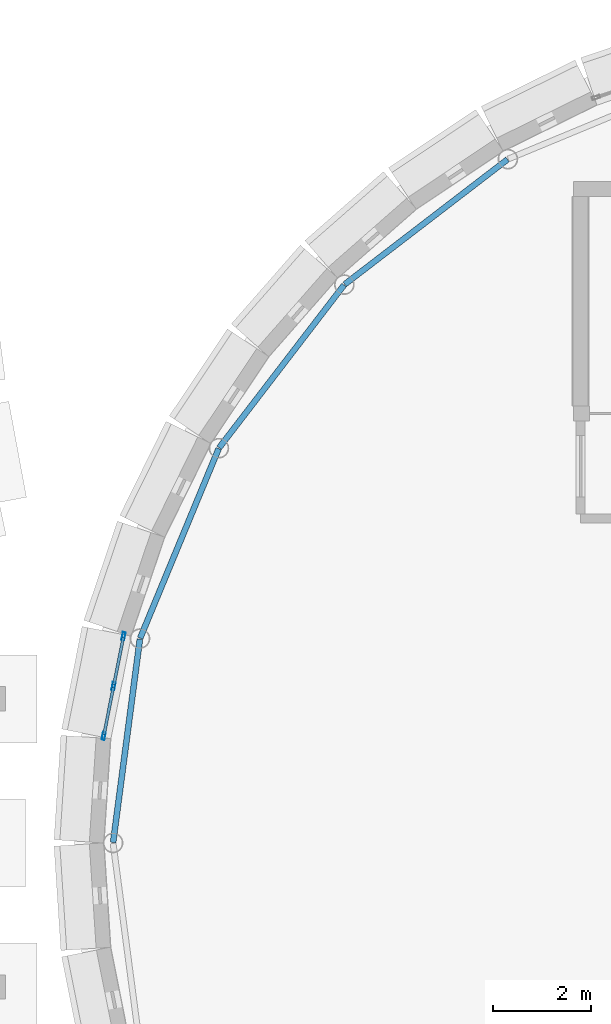
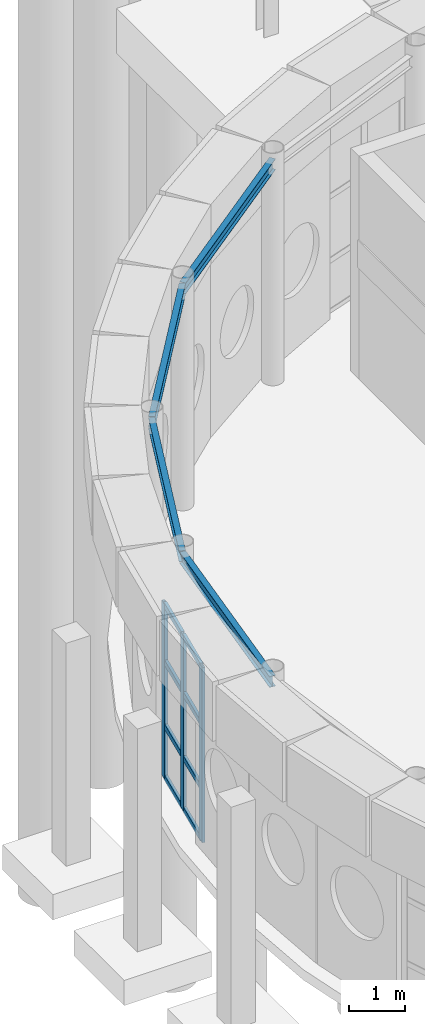
# One storey, part 41 of 109: 11 members, 4 beams, 1 element without a shape of its own.
"""IFC4 building model written with IfcOpenShell, lengths in metres."""

from ifc_helpers import new_model, si_unit, direction, frame, origin, origin_2d, place, context, subcontext, project, spatial, hollow_rectangle, i_section, extrude, material, layer, layer_set, material_profile, profile_set, type_object, element, aggregate, save


model = new_model("IFC4")

# Units and contexts
model_context = context("Model", 3, precision=1e-05, world=origin(), true_north=direction((0.0, 1.0)))
body_context = subcontext(model_context, "Body", "Model", "MODEL_VIEW")
ifc_project = project(units=[si_unit("LENGTHUNIT", "METRE"), si_unit("AREAUNIT", "SQUARE_METRE"), si_unit("VOLUMEUNIT", "CUBIC_METRE"), si_unit("PLANEANGLEUNIT", "RADIAN"), si_unit("MASSUNIT", "GRAM", prefix="KILO")], contexts=[model_context])

# Site, building, storey
site_placement = place(None, origin())
site = spatial("IfcSite", under=ifc_project, at=site_placement, CompositionType="ELEMENT")
building_placement = place(site_placement, origin())
building = spatial("IfcBuilding", under=site, at=building_placement, Name="Montecoro Central Library", CompositionType="ELEMENT")
storey_placement = place(building_placement, origin())
storey = spatial("IfcBuildingStorey", under=building, at=storey_placement, Name="L00", CompositionType="ELEMENT", Elevation=0.0)

# Beams
ifc_material_1 = material(Name="Steel S355", Category="steel")
ifc_material_profile_1 = material_profile(ifc_material_1, i_section(OverallWidth=0.1201171875, OverallDepth=0.239990234375, WebThickness=0.006103515625, FlangeThickness=0.009765625, at=origin_2d()), Name="IPE 240")
ifc_profile_set_1 = profile_set([ifc_material_profile_1], Name="Steel S355")
beam_type = type_object("IfcBeamType", Name="BM-SP-IPE240", PredefinedType="SPANDREL", material=ifc_profile_set_1)
for number, where, z_axis, x_axis, name in (
    (1, (83.501953125, 49.406005859375, 4.72509765625), (-0.793344551064, -0.608772883181, 0.0), (0.608772883181, -0.793344551064, 0.0), "V1-L00-RING-09"),
    (2, (80.153076171875, 46.8330078125, 4.72509765625), (-0.608772883181, -0.793344551064, 0.0), (0.793344551064, -0.608772883181, 0.0), "V1-L00-RING-10"),
):
    element("IfcBeam", number, at=place(storey_placement, frame(where, z_axis=z_axis, x_axis=x_axis)), inside=storey, type_object=beam_type, Name=name, PredefinedType="SPANDREL", context=body_context, shape_type="SweptSolid", body=[
        extrude(i_section(OverallWidth=0.1201171875, OverallDepth=0.239990234375, WebThickness=0.006103515625, FlangeThickness=0.009765625, at=origin_2d()), origin(), (0.0, 0.0, 1.0), 4.20361328125),
    ])
for number, where, z_axis, x_axis, name in (
    (3, (77.583984375, 43.48095703125, 4.72509765625), (-0.382697134684, -0.923873856706, 0.0), (0.923873856706, -0.382697134684, 0.0), "V1-L00-RING-11"),
    (4, (75.969970703125, 39.577880859375, 4.72509765625), (-0.130607740177, -0.99143412197, 0.0), (0.99143412197, -0.130607740177, 0.0), "V1-L00-RING-12"),
):
    element("IfcBeam", number, at=place(storey_placement, frame(where, z_axis=z_axis, x_axis=x_axis)), inside=storey, type_object=beam_type, Name=name, PredefinedType="SPANDREL", context=body_context, shape_type="SweptSolid", body=[
        extrude(i_section(OverallWidth=0.1201171875, OverallDepth=0.239990234375, WebThickness=0.006103515625, FlangeThickness=0.009765625, at=origin_2d()), origin(), (0.0, 0.0, 1.0), 4.2041015625),
    ])

# Curtain wall, members
ifc_material_2 = material(Name="Bronze-anodised aluminium and low-E glazing", Category="aluminium")
ifc_layer = layer(ifc_material_2, 0.159912109375)
ifc_layer_set = layer_set([ifc_layer], Name="Bronze-anodised aluminium and low-E glazing")
curtain_wall_type = type_object("IfcCurtainWallType", Name="CWT-002", PredefinedType="NOTDEFINED", material=ifc_layer_set)
curtain_wall_placement = place(storey_placement, origin())
curtain_wall = element("IfcCurtainWall", 5, at=curtain_wall_placement, inside=storey, type_object=curtain_wall_type, Name="V1-L00-CW-23", PredefinedType="NOTDEFINED")
ifc_material_3 = material(Name="Bronze-anodised aluminium", Category="aluminium")
ifc_material_profile_2 = material_profile(ifc_material_3, hollow_rectangle(XDim=0.06005859375, YDim=0.159912109375, WallThickness=0.00390625, at=origin_2d()), Name="CWM 160x60x4.0")
ifc_profile_set_2 = profile_set([ifc_material_profile_2], Name="Bronze-anodised aluminium")
member_type_1 = type_object("IfcMemberType", Name="CWM-BRZ-60", PredefinedType="MULLION", material=ifc_profile_set_2)
member_1_placement = place(storey_placement, frame((75.63525390625, 39.638671875, 0.0), z_axis=(0.0, 0.0, 1.0), x_axis=(0.980830889445, -0.194860889637, 0.0)))
member_1 = element("IfcMember", 6, at=member_1_placement, type_object=member_type_1, Name="CW-002 mullion 1", PredefinedType="MULLION", context=body_context, shape_type="SweptSolid", body=[
    extrude(hollow_rectangle(XDim=0.06005859375, YDim=0.159912109375, WallThickness=0.00390625, at=origin_2d()), origin(), (0.0, 0.0, 1.0), 3.820068359375),
])
member_2_placement = place(storey_placement, frame((75.431884765625, 38.615966796875, 0.0), z_axis=(0.0, 0.0, 1.0), x_axis=(0.980830889445, -0.194860889637, 0.0)))
member_2 = element("IfcMember", 7, at=member_2_placement, type_object=member_type_1, Name="CW-002 mullion 2", PredefinedType="MULLION", context=body_context, shape_type="SweptSolid", body=[
    extrude(hollow_rectangle(XDim=0.06005859375, YDim=0.159912109375, WallThickness=0.00390625, at=origin_2d()), origin(), (0.0, 0.0, 1.0), 3.820068359375),
])
member_3_placement = place(storey_placement, frame((75.228759765625, 37.593505859375, 0.0), z_axis=(0.0, 0.0, 1.0), x_axis=(0.980830889445, -0.194860889637, 0.0)))
member_3 = element("IfcMember", 8, at=member_3_placement, type_object=member_type_1, Name="CW-002 mullion 3", PredefinedType="MULLION", context=body_context, shape_type="SweptSolid", body=[
    extrude(hollow_rectangle(XDim=0.06005859375, YDim=0.159912109375, WallThickness=0.00390625, at=origin_2d()), origin(), (0.0, 0.0, 1.0), 3.820068359375),
])
ifc_material_profile_3 = material_profile(ifc_material_3, hollow_rectangle(XDim=0.06005859375, YDim=0.1201171875, WallThickness=0.00390625, at=origin_2d()), Name="CWT 120x60x4.0")
ifc_profile_set_3 = profile_set([ifc_material_profile_3], Name="Bronze-anodised aluminium")
member_type_2 = type_object("IfcMemberType", Name="CWT-BRZ-60", PredefinedType="USERDEFINED", material=ifc_profile_set_3)
member_4_placement = place(storey_placement, frame((75.62939453125, 39.609130859375, 0.030029296875), z_axis=(-0.195064718212, -0.980790372969, 0.0), x_axis=(0.980790372969, -0.195064718212, 0.0)))
member_4 = element("IfcMember", 9, at=member_4_placement, type_object=member_type_2, Name="CW-002 transom 1.1", ObjectType="TRANSOM", PredefinedType="USERDEFINED", context=body_context, shape_type="SweptSolid", body=[
    extrude(hollow_rectangle(XDim=0.06005859375, YDim=0.1201171875, WallThickness=0.00390625, at=origin_2d()), origin(), (0.0, 0.0, 1.0), 0.982421875),
])
member_5_placement = place(storey_placement, frame((75.62939453125, 39.609130859375, 1.14990234375), z_axis=(-0.195064718212, -0.980790372969, 0.0), x_axis=(0.980790372969, -0.195064718212, 0.0)))
member_5 = element("IfcMember", 10, at=member_5_placement, type_object=member_type_2, Name="CW-002 transom 1.2", ObjectType="TRANSOM", PredefinedType="USERDEFINED", context=body_context, shape_type="SweptSolid", body=[
    extrude(hollow_rectangle(XDim=0.06005859375, YDim=0.1201171875, WallThickness=0.00390625, at=origin_2d()), origin(), (0.0, 0.0, 1.0), 0.982421875),
])
member_6_placement = place(storey_placement, frame((75.62939453125, 39.609130859375, 2.550048828125), z_axis=(-0.195064718212, -0.980790372969, 0.0), x_axis=(0.980790372969, -0.195064718212, 0.0)))
member_6 = element("IfcMember", 11, at=member_6_placement, type_object=member_type_2, Name="CW-002 transom 1.3", ObjectType="TRANSOM", PredefinedType="USERDEFINED", context=body_context, shape_type="SweptSolid", body=[
    extrude(hollow_rectangle(XDim=0.06005859375, YDim=0.1201171875, WallThickness=0.00390625, at=origin_2d()), origin(), (0.0, 0.0, 1.0), 0.982421875),
])
member_7_placement = place(storey_placement, frame((75.62939453125, 39.609130859375, 3.7900390625), z_axis=(-0.195064718212, -0.980790372969, 0.0), x_axis=(0.980790372969, -0.195064718212, 0.0)))
member_7 = element("IfcMember", 12, at=member_7_placement, type_object=member_type_2, Name="CW-002 transom 1.4", ObjectType="TRANSOM", PredefinedType="USERDEFINED", context=body_context, shape_type="SweptSolid", body=[
    extrude(hollow_rectangle(XDim=0.06005859375, YDim=0.1201171875, WallThickness=0.00390625, at=origin_2d()), origin(), (0.0, 0.0, 1.0), 0.982421875),
])
member_8_placement = place(storey_placement, frame((75.42626953125, 38.586669921875, 0.030029296875), z_axis=(-0.19501718904, -0.980799824622, 0.0), x_axis=(0.980799824622, -0.19501718904, 0.0)))
member_8 = element("IfcMember", 13, at=member_8_placement, type_object=member_type_2, Name="CW-002 transom 2.1", ObjectType="TRANSOM", PredefinedType="USERDEFINED", context=body_context, shape_type="SweptSolid", body=[
    extrude(hollow_rectangle(XDim=0.06005859375, YDim=0.1201171875, WallThickness=0.00390625, at=origin_2d()), origin(), (0.0, 0.0, 1.0), 0.982666015625),
])
member_9_placement = place(storey_placement, frame((75.42626953125, 38.586669921875, 1.14990234375), z_axis=(-0.19501718904, -0.980799824622, 0.0), x_axis=(0.980799824622, -0.19501718904, 0.0)))
member_9 = element("IfcMember", 14, at=member_9_placement, type_object=member_type_2, Name="CW-002 transom 2.2", ObjectType="TRANSOM", PredefinedType="USERDEFINED", context=body_context, shape_type="SweptSolid", body=[
    extrude(hollow_rectangle(XDim=0.06005859375, YDim=0.1201171875, WallThickness=0.00390625, at=origin_2d()), origin(), (0.0, 0.0, 1.0), 0.982666015625),
])
member_10_placement = place(storey_placement, frame((75.42626953125, 38.586669921875, 2.550048828125), z_axis=(-0.19501718904, -0.980799824622, 0.0), x_axis=(0.980799824622, -0.19501718904, 0.0)))
member_10 = element("IfcMember", 15, at=member_10_placement, type_object=member_type_2, Name="CW-002 transom 2.3", ObjectType="TRANSOM", PredefinedType="USERDEFINED", context=body_context, shape_type="SweptSolid", body=[
    extrude(hollow_rectangle(XDim=0.06005859375, YDim=0.1201171875, WallThickness=0.00390625, at=origin_2d()), origin(), (0.0, 0.0, 1.0), 0.982666015625),
])
member_11_placement = place(storey_placement, frame((75.42626953125, 38.586669921875, 3.7900390625), z_axis=(-0.19501718904, -0.980799824622, 0.0), x_axis=(0.980799824622, -0.19501718904, 0.0)))
member_11 = element("IfcMember", 16, at=member_11_placement, type_object=member_type_2, Name="CW-002 transom 2.4", ObjectType="TRANSOM", PredefinedType="USERDEFINED", context=body_context, shape_type="SweptSolid", body=[
    extrude(hollow_rectangle(XDim=0.06005859375, YDim=0.1201171875, WallThickness=0.00390625, at=origin_2d()), origin(), (0.0, 0.0, 1.0), 0.982666015625),
])
aggregate(curtain_wall, [member_1, member_2, member_3, member_4, member_5, member_6, member_7, member_8, member_9, member_10, member_11])

save(model, "model.ifc")
